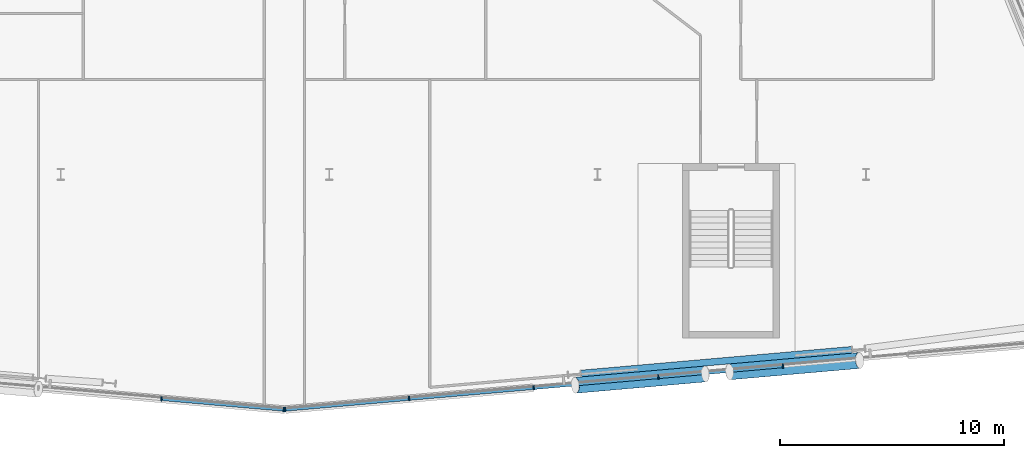
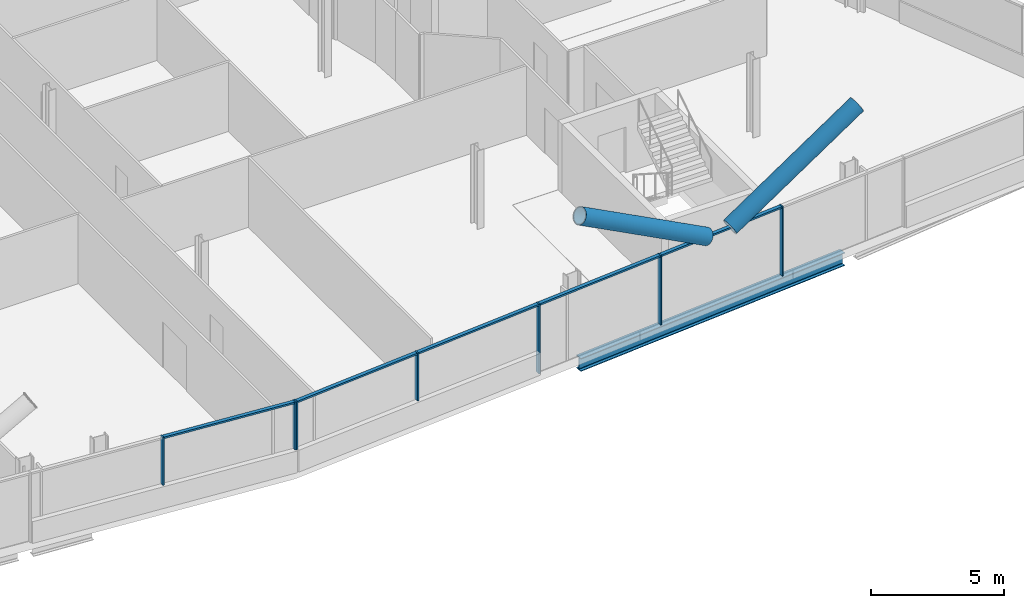
# One storey, part 8 of 26: 14 members, 1 beam, 2 elements without a shape of their own.
"""IFC4 building model written with IfcOpenShell, lengths in metres."""

from ifc_helpers import new_model, si_unit, direction, frame, origin, origin_2d, place, context, subcontext, project, spatial, rectangle, hollow_circle, i_section, extrude, material, material_profile, profile_set, type_object, element, aggregate, save


model = new_model("IFC4")

# Units and contexts
model_context = context("Model", 3, precision=1e-05, world=origin(), true_north=direction((0.0, 1.0)))
body_context = subcontext(model_context, "Body", "Model", "MODEL_VIEW")
ifc_project = project(units=[si_unit("LENGTHUNIT", "METRE"), si_unit("AREAUNIT", "SQUARE_METRE"), si_unit("VOLUMEUNIT", "CUBIC_METRE"), si_unit("PLANEANGLEUNIT", "RADIAN"), si_unit("MASSUNIT", "GRAM", prefix="KILO")], contexts=[model_context])

# Site, building, storey
site_placement = place(None, origin())
site = spatial("IfcSite", under=ifc_project, at=site_placement, CompositionType="ELEMENT")
building_placement = place(site_placement, origin())
building = spatial("IfcBuilding", under=site, at=building_placement, Name="Wharfspan Tower", CompositionType="ELEMENT")
storey_placement = place(building_placement, frame((0.0, 0.0, 173.5)))
storey = spatial("IfcBuildingStorey", under=building, at=storey_placement, Name="L42", CompositionType="ELEMENT", Elevation=173.5)

# Beam
ifc_material_1 = material(Name="Steel S355J2", Category="steel")
ifc_material_profile_1 = material_profile(ifc_material_1, i_section(OverallWidth=0.300049, OverallDepth=0.600098, WebThickness=0.015381, FlangeThickness=0.030029, FilletRadius=0.0271, at=origin_2d()))
ifc_profile_set_1 = profile_set([ifc_material_profile_1], Name="Steel S355J2")
beam_type = type_object("IfcBeamType", Name="Edge beam HEB 600", PredefinedType="SPANDREL", material=ifc_profile_set_1)
beam_placement = place(storey_placement, frame((59.265625, 2.600342, -0.699951), z_axis=(0.996195, 0.087155, 0.0), x_axis=(-0.087155, 0.996195, 0.0)))
element("IfcBeam", 1, at=beam_placement, inside=storey, type_object=beam_type, Name="Edge beam S2 L42 PS2.1 to PS2.2", PredefinedType="SPANDREL", context=body_context, shape_type="SweptSolid", body=[
    extrude(i_section(OverallWidth=0.300049, OverallDepth=0.600098, WebThickness=0.015381, FlangeThickness=0.030029, FilletRadius=0.0271, at=origin_2d()), origin(), (0.0, 0.0, 1.0), 12.137695),
])

# Curtain wall, members
ifc_material_2 = material(Name="Aluminium 6063-T6", Category="aluminium")
curtain_wall_type = type_object("IfcCurtainWallType", Name="CURTAIN WALL FACETED FRONT", PredefinedType="NOTDEFINED", material=ifc_material_2)
curtain_wall_1_placement = place(storey_placement, origin())
curtain_wall_1 = element("IfcCurtainWall", 2, at=curtain_wall_1_placement, inside=storey, type_object=curtain_wall_type, Name="Curtain wall S1", PredefinedType="NOTDEFINED")
ifc_material_profile_2 = material_profile(ifc_material_2, rectangle(XDim=0.199951, YDim=0.060059, at=origin_2d()))
ifc_profile_set_2 = profile_set([ifc_material_profile_2], Name="Aluminium 6063-T6")
member_type_1 = type_object("IfcMemberType", Name="MULLION FACETED FRONT 60x200", PredefinedType="MULLION", material=ifc_profile_set_2)
member_1_placement = place(storey_placement, frame((40.5, 1.469238, 1.0), z_axis=(0.0, 0.0, 1.0), x_axis=(0.087156, 0.996198, 0.0)))
member_1 = element("IfcMember", 3, at=member_1_placement, type_object=member_type_1, Name="Curtain wall S1 mullion 6", PredefinedType="MULLION", context=body_context, shape_type="SweptSolid", body=[
    extrude(rectangle(XDim=0.199951, YDim=0.060059, at=origin_2d()), origin(), (0.0, 0.0, 1.0), 2.199951),
])
member_2_placement = place(storey_placement, frame((45.970215, 0.990479, 1.0), z_axis=(0.0, 0.0, 1.0), x_axis=(0.087156, 0.996198, 0.0)))
member_2 = element("IfcMember", 4, at=member_2_placement, type_object=member_type_1, Name="Curtain wall S1 mullion 7", PredefinedType="MULLION", context=body_context, shape_type="SweptSolid", body=[
    extrude(rectangle(XDim=0.199951, YDim=0.060059, at=origin_2d()), origin(), (0.0, 0.0, 1.0), 2.199951),
])

curtain_wall_2_placement = place(storey_placement, origin())
curtain_wall_2 = element("IfcCurtainWall", 5, at=curtain_wall_2_placement, inside=storey, type_object=curtain_wall_type, Name="Curtain wall S2", PredefinedType="NOTDEFINED")
member_3_placement = place(storey_placement, frame((46.029785, 0.990479, 1.0), z_axis=(0.0, 0.0, 1.0), x_axis=(-0.087156, 0.996198, 0.0)))
member_3 = element("IfcMember", 6, at=member_3_placement, type_object=member_type_1, Name="Curtain wall S2 mullion 1", PredefinedType="MULLION", context=body_context, shape_type="SweptSolid", body=[
    extrude(rectangle(XDim=0.199951, YDim=0.060059, at=origin_2d()), origin(), (0.0, 0.0, 1.0), 2.199951),
])
member_4_placement = place(storey_placement, frame((51.571533, 1.475342, 1.0), z_axis=(0.0, 0.0, 1.0), x_axis=(-0.087156, 0.996198, 0.0)))
member_4 = element("IfcMember", 7, at=member_4_placement, type_object=member_type_1, Name="Curtain wall S2 mullion 2", PredefinedType="MULLION", context=body_context, shape_type="SweptSolid", body=[
    extrude(rectangle(XDim=0.199951, YDim=0.060059, at=origin_2d()), origin(), (0.0, 0.0, 1.0), 2.199951),
])
member_5_placement = place(storey_placement, frame((57.142822, 1.962891, 0.0), z_axis=(0.0, 0.0, 1.0), x_axis=(-0.087156, 0.996198, 0.0)))
member_5 = element("IfcMember", 8, at=member_5_placement, type_object=member_type_1, Name="Curtain wall S2 mullion 3", PredefinedType="MULLION", context=body_context, shape_type="SweptSolid", body=[
    extrude(rectangle(XDim=0.199951, YDim=0.060059, at=origin_2d()), origin(), (0.0, 0.0, 1.0), 3.199951),
])
member_6_placement = place(storey_placement, frame((62.714355, 2.450195, 0.0), z_axis=(0.0, 0.0, 1.0), x_axis=(-0.087156, 0.996198, 0.0)))
member_6 = element("IfcMember", 9, at=member_6_placement, type_object=member_type_1, Name="Curtain wall S2 mullion 4", PredefinedType="MULLION", context=body_context, shape_type="SweptSolid", body=[
    extrude(rectangle(XDim=0.199951, YDim=0.060059, at=origin_2d()), origin(), (0.0, 0.0, 1.0), 3.199951),
])
member_7_placement = place(storey_placement, frame((68.285645, 2.937744, 0.0), z_axis=(0.0, 0.0, 1.0), x_axis=(-0.087156, 0.996198, 0.0)))
member_7 = element("IfcMember", 10, at=member_7_placement, type_object=member_type_1, Name="Curtain wall S2 mullion 5", PredefinedType="MULLION", context=body_context, shape_type="SweptSolid", body=[
    extrude(rectangle(XDim=0.199951, YDim=0.060059, at=origin_2d()), origin(), (0.0, 0.0, 1.0), 3.199951),
])

# Members
ifc_material_3 = material(Name="Steel S460NH", Category="steel")
ifc_material_profile_3 = material_profile(ifc_material_3, hollow_circle(Radius=0.355469, WallThickness=0.035889, at=origin_2d()))
ifc_profile_set_3 = profile_set([ifc_material_profile_3], Name="Steel S460NH")
member_type_2 = type_object("IfcMemberType", Name="Mega brace CHS 711x36", PredefinedType="BRACE", material=ifc_profile_set_3)
member_8_placement = place(storey_placement, frame((65.897949, 2.673584, 3.20752), z_axis=(0.867436, 0.075878, 0.491729), x_axis=(-0.08714, 0.996196, -2e-06)))
element("IfcMember", 11, at=member_8_placement, inside=storey, type_object=member_type_2, Name="Mega brace S2 L42 part 2", PredefinedType="BRACE", context=body_context, shape_type="SweptSolid", body=[
    extrude(hollow_circle(Radius=0.355469, WallThickness=0.035889, at=origin_2d()), origin(), (0.0, 0.0, 1.0), 6.695801),
])
member_9_placement = place(storey_placement, frame((64.812744, 2.578613, 3.20752), z_axis=(-0.867427, -0.07588, 0.491745), x_axis=(0.087145, -0.996197, 1e-06)))
element("IfcMember", 12, at=member_9_placement, inside=storey, type_object=member_type_2, Name="Mega brace S2 L42 part 4", PredefinedType="BRACE", context=body_context, shape_type="SweptSolid", body=[
    extrude(hollow_circle(Radius=0.355469, WallThickness=0.035889, at=origin_2d()), origin(), (0.0, 0.0, 1.0), 6.695557),
])

# Member
ifc_material_profile_4 = material_profile(ifc_material_2, rectangle(XDim=0.159912, YDim=0.080078, at=origin_2d()))
ifc_profile_set_4 = profile_set([ifc_material_profile_4], Name="Aluminium 6063-T6")
member_type_3 = type_object("IfcMemberType", Name="TRANSOM FACETED FRONT 80x160", PredefinedType="USERDEFINED", material=ifc_profile_set_4)
member_10_placement = place(storey_placement, frame((40.529785, 1.466553, 3.159912), z_axis=(0.996194, -0.087163, 0.0), x_axis=(0.087163, 0.996194, 0.0)))
member_10 = element("IfcMember", 13, at=member_10_placement, type_object=member_type_3, Name="Curtain wall S1 transom 6", ObjectType="TRANSOM", PredefinedType="USERDEFINED", context=body_context, shape_type="SweptSolid", body=[
    extrude(rectangle(XDim=0.159912, YDim=0.080078, at=origin_2d()), origin(), (0.0, 0.0, 1.0), 5.431152),
])

aggregate(curtain_wall_1, [member_1, member_2, member_10])

member_11_placement = place(storey_placement, frame((46.059814, 0.993164, 3.159912), z_axis=(0.996196, 0.087139, 0.0), x_axis=(-0.087139, 0.996196, 0.0)))
member_11 = element("IfcMember", 14, at=member_11_placement, type_object=member_type_3, Name="Curtain wall S2 transom 1", ObjectType="TRANSOM", PredefinedType="USERDEFINED", context=body_context, shape_type="SweptSolid", body=[
    extrude(rectangle(XDim=0.159912, YDim=0.080078, at=origin_2d()), origin(), (0.0, 0.0, 1.0), 5.502686),
])

member_12_placement = place(storey_placement, frame((51.601318, 1.478027, 3.159912), z_axis=(0.996195, 0.087149, 0.0), x_axis=(-0.087149, 0.996195, 0.0)))
member_12 = element("IfcMember", 15, at=member_12_placement, type_object=member_type_3, Name="Curtain wall S2 transom 2", ObjectType="TRANSOM", PredefinedType="USERDEFINED", context=body_context, shape_type="SweptSolid", body=[
    extrude(rectangle(XDim=0.159912, YDim=0.080078, at=origin_2d()), origin(), (0.0, 0.0, 1.0), 5.532715),
])

member_13_placement = place(storey_placement, frame((57.172852, 1.965332, 3.159912), z_axis=(0.996191, 0.087197, 0.0), x_axis=(-0.087197, 0.996191, 0.0)))
member_13 = element("IfcMember", 16, at=member_13_placement, type_object=member_type_3, Name="Curtain wall S2 transom 3", ObjectType="TRANSOM", PredefinedType="USERDEFINED", context=body_context, shape_type="SweptSolid", body=[
    extrude(rectangle(XDim=0.159912, YDim=0.080078, at=origin_2d()), origin(), (0.0, 0.0, 1.0), 5.532471),
])

member_14_placement = place(storey_placement, frame((62.744141, 2.452881, 3.159912), z_axis=(0.996195, 0.087149, 0.0), x_axis=(-0.087149, 0.996195, 0.0)))
member_14 = element("IfcMember", 17, at=member_14_placement, type_object=member_type_3, Name="Curtain wall S2 transom 4", ObjectType="TRANSOM", PredefinedType="USERDEFINED", context=body_context, shape_type="SweptSolid", body=[
    extrude(rectangle(XDim=0.159912, YDim=0.080078, at=origin_2d()), origin(), (0.0, 0.0, 1.0), 5.532715),
])

aggregate(curtain_wall_2, [member_3, member_4, member_5, member_6, member_7, member_11, member_12, member_13, member_14])

save(model, "model.ifc")
